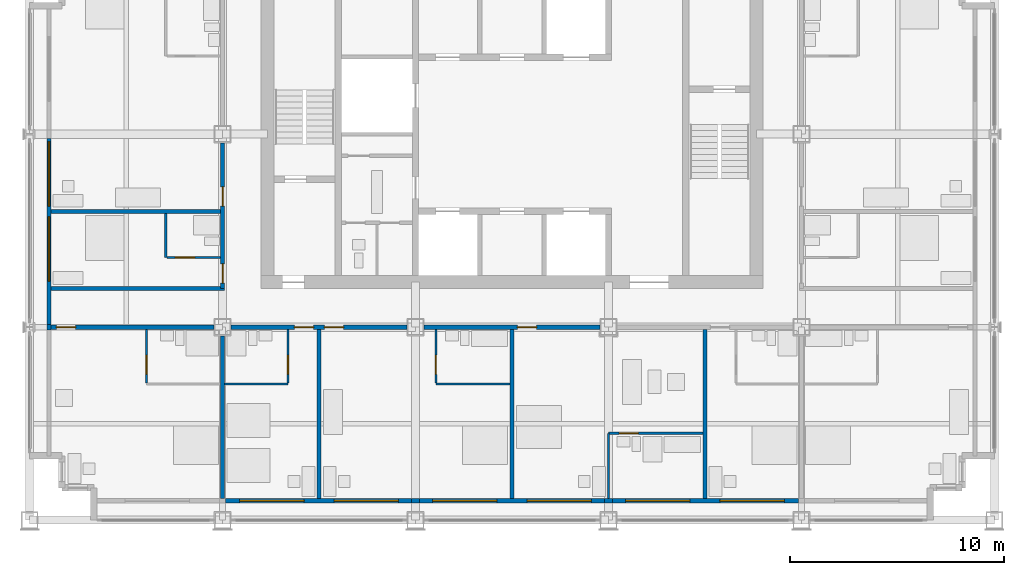
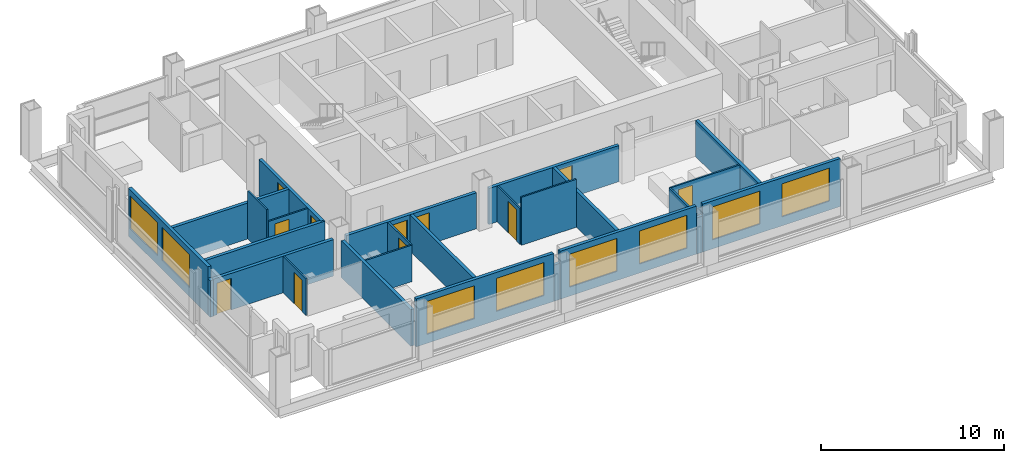
# One storey, part 7 of 13: 26 walls, 11 doors, 8 windows, 19 openings.
"""IFC4 building model written with IfcOpenShell, lengths in metres."""

from ifc_helpers import new_model, si_unit, direction, frame, frame_2d, origin, place, context, subcontext, project, spatial, rectangle, extrude, material, layer, layer_set, type_object, element, fill, save


model = new_model("IFC4")

# Units and contexts
model_context = context("Model", 3, precision=1e-05, world=origin(), true_north=direction((0.0, 1.0)))
body_context = subcontext(model_context, "Body", "Model", "MODEL_VIEW")
ifc_project = project(units=[si_unit("LENGTHUNIT", "METRE"), si_unit("AREAUNIT", "SQUARE_METRE"), si_unit("VOLUMEUNIT", "CUBIC_METRE"), si_unit("PLANEANGLEUNIT", "RADIAN"), si_unit("MASSUNIT", "GRAM", prefix="KILO")], contexts=[model_context])

# Site, building, storey
site_placement = place(None, origin())
site = spatial("IfcSite", under=ifc_project, at=site_placement, CompositionType="ELEMENT")
building_placement = place(site_placement, origin())
building = spatial("IfcBuilding", under=site, at=building_placement, Name="Loomwork Tower", CompositionType="ELEMENT")
storey_placement = place(building_placement, frame((0.0, 0.0, 208.0)))
storey = spatial("IfcBuildingStorey", under=building, at=storey_placement, Name="L57", CompositionType="ELEMENT", Elevation=208.0)

# Wall, opening, door
ifc_material_1 = material(Name="Gypsum board on steel studs, one-hour", Category="steel")
ifc_layer_1 = layer(ifc_material_1, 0.199951171875)
ifc_layer_set_1 = layer_set([ifc_layer_1], Name="Corridor wall 200")
wall_type_1 = type_object("IfcWallType", Name="Corridor wall 200", PredefinedType="PARTITIONING", material=ifc_layer_set_1)
wall_1_placement = place(storey_placement, frame((1.0, 9.0, 0.0), z_axis=(0.0, 0.0, 1.0), x_axis=(1.0, 0.0, 0.0)))
wall_1 = element("IfcWall", 1, at=wall_1_placement, inside=storey, type_object=wall_type_1, Name="South corridor wall 1", PredefinedType="PARTITIONING", context=body_context, shape_type="SweptSolid", body=[
    extrude(rectangle(XDim=7.60009765625, YDim=0.199951171875, at=frame_2d((3.800048828125, 0.0))), origin(), (0.0, 0.0, 1.0), 2.43798828125),
])
opening_1_placement = place(wall_1_placement, frame((0.25, 0.0, 0.0)))
opening_1 = element("IfcOpeningElement", 2, at=opening_1_placement, cuts=wall_1, Name="Opening D1", PredefinedType="OPENING", context=body_context, shape_type="SweptSolid", body=[
    extrude(rectangle(XDim=0.89990234375, YDim=2.10009765625, at=frame_2d((0.449951171875, 1.050048828125))), frame((0.0, 0.10986328125, 0.0), z_axis=(0.0, -1.0, 0.0), x_axis=(1.0, 0.0, 0.0)), (0.0, 0.0, 1.0), 0.219970703125),
])
ifc_material_2 = material(Name="Hollow metal door and frame")
door_type_1 = type_object("IfcDoorType", Name="Guest room entry door 900", OperationType="SINGLE_SWING_LEFT", PredefinedType="DOOR", material=ifc_material_2)
door_1_placement = place(opening_1_placement, frame((0.89990234375, 0.0, 0.0), z_axis=(0.0, 0.0, 1.0), x_axis=(-1.0, 0.0, 0.0)))
door_1 = element("IfcDoor", 3, at=door_1_placement, inside=storey, type_object=door_type_1, Name="Guest room entry door L57 1", OperationType="SINGLE_SWING_RIGHT", OverallHeight=2.10009765625, OverallWidth=0.89990234375, PredefinedType="DOOR", context=body_context, shape_type="SweptSolid", body=[
    extrude(rectangle(XDim=0.89990234375, YDim=2.10009765625, at=frame_2d((0.449951171875, 1.050048828125))), frame((0.0, 0.02490234375, 0.0), z_axis=(0.0, -1.0, 0.0), x_axis=(1.0, 0.0, 0.0)), (0.0, 0.0, 1.0), 0.050048828125),
])
fill(opening_1, door_1)

# Wall, openings, doors
wall_2_placement = place(storey_placement, frame((9.39990234375, 9.0, 0.0), z_axis=(0.0, 0.0, 1.0), x_axis=(1.0, 0.0, 0.0)))
wall_2 = element("IfcWall", 4, at=wall_2_placement, inside=storey, type_object=wall_type_1, Name="South corridor wall 2", PredefinedType="PARTITIONING", context=body_context, shape_type="SweptSolid", body=[
    extrude(rectangle(XDim=8.2001953125, YDim=0.199951171875, at=frame_2d((4.10009765625, 0.0))), origin(), (0.0, 0.0, 1.0), 2.405029296875),
])
opening_2_placement = place(wall_2_placement, frame((2.949951171875, 0.0, 0.0)))
opening_2 = element("IfcOpeningElement", 5, at=opening_2_placement, cuts=wall_2, Name="Opening D1", PredefinedType="OPENING", context=body_context, shape_type="SweptSolid", body=[
    extrude(rectangle(XDim=0.89990234375, YDim=2.10009765625, at=frame_2d((0.449951171875, 1.050048828125))), frame((0.0, 0.10986328125, 0.0), z_axis=(0.0, -1.0, 0.0), x_axis=(1.0, 0.0, 0.0)), (0.0, 0.0, 1.0), 0.219970703125),
])
opening_3_placement = place(wall_2_placement, frame((4.35009765625, 0.0, 0.0)))
opening_3 = element("IfcOpeningElement", 6, at=opening_3_placement, cuts=wall_2, Name="Opening D1", PredefinedType="OPENING", context=body_context, shape_type="SweptSolid", body=[
    extrude(rectangle(XDim=0.89990234375, YDim=2.10009765625, at=frame_2d((0.449951171875, 1.050048828125))), frame((0.0, 0.10986328125, 0.0), z_axis=(0.0, -1.0, 0.0), x_axis=(1.0, 0.0, 0.0)), (0.0, 0.0, 1.0), 0.219970703125),
])
door_2_placement = place(opening_2_placement, frame((0.89990234375, 0.0, 0.0), z_axis=(0.0, 0.0, 1.0), x_axis=(-1.0, 0.0, 0.0)))
door_2 = element("IfcDoor", 7, at=door_2_placement, inside=storey, type_object=door_type_1, Name="Guest room entry door L57 2", OperationType="SINGLE_SWING_LEFT", OverallHeight=2.10009765625, OverallWidth=0.89990234375, PredefinedType="DOOR", context=body_context, shape_type="SweptSolid", body=[
    extrude(rectangle(XDim=0.89990234375, YDim=2.10009765625, at=frame_2d((0.449951171875, 1.050048828125))), frame((0.0, 0.02490234375, 0.0), z_axis=(0.0, -1.0, 0.0), x_axis=(1.0, 0.0, 0.0)), (0.0, 0.0, 1.0), 0.050048828125),
])
fill(opening_2, door_2)
door_3_placement = place(opening_3_placement, frame((0.89990234375, 0.0, 0.0), z_axis=(0.0, 0.0, 1.0), x_axis=(-1.0, 0.0, 0.0)))
door_3 = element("IfcDoor", 8, at=door_3_placement, inside=storey, type_object=door_type_1, Name="Guest room entry door L57 3", OperationType="SINGLE_SWING_RIGHT", OverallHeight=2.10009765625, OverallWidth=0.89990234375, PredefinedType="DOOR", context=body_context, shape_type="SweptSolid", body=[
    extrude(rectangle(XDim=0.89990234375, YDim=2.10009765625, at=frame_2d((0.449951171875, 1.050048828125))), frame((0.0, 0.02490234375, 0.0), z_axis=(0.0, -1.0, 0.0), x_axis=(1.0, 0.0, 0.0)), (0.0, 0.0, 1.0), 0.050048828125),
])
fill(opening_3, door_3)

# Wall, opening, door
wall_3_placement = place(storey_placement, frame((18.39990234375, 9.0, 0.0), z_axis=(0.0, 0.0, 1.0), x_axis=(1.0, 0.0, 0.0)))
wall_3 = element("IfcWall", 9, at=wall_3_placement, inside=storey, type_object=wall_type_1, Name="South corridor wall 3", PredefinedType="PARTITIONING", context=body_context, shape_type="SweptSolid", body=[
    extrude(rectangle(XDim=8.2001953125, YDim=0.199951171875, at=frame_2d((4.10009765625, 0.0))), origin(), (0.0, 0.0, 1.0), 2.405029296875),
])
opening_4_placement = place(wall_3_placement, frame((4.35009765625, 0.0, 0.0)))
opening_4 = element("IfcOpeningElement", 10, at=opening_4_placement, cuts=wall_3, Name="Opening D1", PredefinedType="OPENING", context=body_context, shape_type="SweptSolid", body=[
    extrude(rectangle(XDim=0.89990234375, YDim=2.10009765625, at=frame_2d((0.449951171875, 1.050048828125))), frame((0.0, 0.10986328125, 0.0), z_axis=(0.0, -1.0, 0.0), x_axis=(1.0, 0.0, 0.0)), (0.0, 0.0, 1.0), 0.219970703125),
])
door_4_placement = place(opening_4_placement, frame((0.89990234375, 0.0, 0.0), z_axis=(0.0, 0.0, 1.0), x_axis=(-1.0, 0.0, 0.0)))
door_4 = element("IfcDoor", 11, at=door_4_placement, inside=storey, type_object=door_type_1, Name="Guest room entry door L57 4", OperationType="SINGLE_SWING_RIGHT", OverallHeight=2.10009765625, OverallWidth=0.89990234375, PredefinedType="DOOR", context=body_context, shape_type="SweptSolid", body=[
    extrude(rectangle(XDim=0.89990234375, YDim=2.10009765625, at=frame_2d((0.449951171875, 1.050048828125))), frame((0.0, 0.02490234375, 0.0), z_axis=(0.0, -1.0, 0.0), x_axis=(1.0, 0.0, 0.0)), (0.0, 0.0, 1.0), 0.050048828125),
])
fill(opening_4, door_4)

# Wall, openings, doors
wall_4_placement = place(storey_placement, frame((9.0, 10.800048828125, 0.0), z_axis=(0.0, 0.0, 1.0), x_axis=(0.0, 1.0, 0.0)))
wall_4 = element("IfcWall", 12, at=wall_4_placement, inside=storey, type_object=wall_type_1, Name="West corridor wall 1", PredefinedType="PARTITIONING", context=body_context, shape_type="SweptSolid", body=[
    extrude(rectangle(XDim=6.800048828125, YDim=0.199951171875, at=frame_2d((3.39990234375, 0.0))), origin(), (0.0, 0.0, 1.0), 2.405029296875),
])
opening_5_placement = place(wall_4_placement, frame((0.25, 0.0, 0.0)))
opening_5 = element("IfcOpeningElement", 13, at=opening_5_placement, cuts=wall_4, Name="Opening D1", PredefinedType="OPENING", context=body_context, shape_type="SweptSolid", body=[
    extrude(rectangle(XDim=0.89990234375, YDim=2.10009765625, at=frame_2d((0.449951171875, 1.050048828125))), frame((0.0, 0.10986328125, 0.0), z_axis=(0.0, -1.0, 0.0), x_axis=(1.0, 0.0, 0.0)), (0.0, 0.0, 1.0), 0.219970703125),
])
opening_6_placement = place(wall_4_placement, frame((3.85009765625, 0.0, 0.0)))
opening_6 = element("IfcOpeningElement", 14, at=opening_6_placement, cuts=wall_4, Name="Opening D1", PredefinedType="OPENING", context=body_context, shape_type="SweptSolid", body=[
    extrude(rectangle(XDim=0.89990234375, YDim=2.10009765625, at=frame_2d((0.449951171875, 1.050048828125))), frame((0.0, 0.10986328125, 0.0), z_axis=(0.0, -1.0, 0.0), x_axis=(1.0, 0.0, 0.0)), (0.0, 0.0, 1.0), 0.219970703125),
])
door_5_placement = place(opening_5_placement, origin())
door_5 = element("IfcDoor", 15, at=door_5_placement, inside=storey, type_object=door_type_1, Name="Guest room entry door L57 7", OperationType="SINGLE_SWING_LEFT", OverallHeight=2.10009765625, OverallWidth=0.89990234375, PredefinedType="DOOR", context=body_context, shape_type="SweptSolid", body=[
    extrude(rectangle(XDim=0.89990234375, YDim=2.10009765625, at=frame_2d((0.449951171875, 1.050048828125))), frame((0.0, 0.02490234375, 0.0), z_axis=(0.0, -1.0, 0.0), x_axis=(1.0, 0.0, 0.0)), (0.0, 0.0, 1.0), 0.050048828125),
])
fill(opening_5, door_5)
door_6_placement = place(opening_6_placement, origin())
door_6 = element("IfcDoor", 16, at=door_6_placement, inside=storey, type_object=door_type_1, Name="Guest room entry door L57 8", OperationType="SINGLE_SWING_LEFT", OverallHeight=2.10009765625, OverallWidth=0.89990234375, PredefinedType="DOOR", context=body_context, shape_type="SweptSolid", body=[
    extrude(rectangle(XDim=0.89990234375, YDim=2.10009765625, at=frame_2d((0.449951171875, 1.050048828125))), frame((0.0, 0.02490234375, 0.0), z_axis=(0.0, -1.0, 0.0), x_axis=(1.0, 0.0, 0.0)), (0.0, 0.0, 1.0), 0.050048828125),
])
fill(opening_6, door_6)

# Wall
wall_5_placement = place(storey_placement, frame((1.0, 10.800048828125, 0.0), z_axis=(0.0, 0.0, 1.0), x_axis=(1.0, 0.0, 0.0)))
element("IfcWall", 17, at=wall_5_placement, inside=storey, type_object=wall_type_1, Name="West band end wall S", PredefinedType="PARTITIONING", context=body_context, shape_type="SweptSolid", body=[
    extrude(rectangle(XDim=8.10009765625, YDim=0.199951171875, at=frame_2d((4.050048828125, 0.0))), origin(), (0.0, 0.0, 1.0), 2.404052734375),
])

# Wall, opening, door
ifc_material_3 = material(Name="Cement board on steel studs", Category="steel")
ifc_layer_2 = layer(ifc_material_3, 0.10009765625)
ifc_layer_set_2 = layer_set([ifc_layer_2], Name="En-suite partition 100")
wall_type_2 = type_object("IfcWallType", Name="En-suite partition 100", PredefinedType="PARTITIONING", material=ifc_layer_set_2)
wall_6_placement = place(storey_placement, frame((5.449951171875, 8.89990234375, 0.0), z_axis=(0.0, 0.0, 1.0), x_axis=(0.0, -1.0, 0.0)))
wall_6 = element("IfcWall", 18, at=wall_6_placement, inside=storey, type_object=wall_type_2, Name="En-suite side wall L57 room 1", PredefinedType="PARTITIONING", context=body_context, shape_type="SweptSolid", body=[
    extrude(rectangle(XDim=2.5, YDim=0.10009765625, at=frame_2d((1.25, 0.0))), origin(), (0.0, 0.0, 1.0), 2.43798828125),
])
opening_7_placement = place(wall_6_placement, frame((1.199951171875, 0.0, 0.0)))
opening_7 = element("IfcOpeningElement", 19, at=opening_7_placement, cuts=wall_6, Name="Opening D3", PredefinedType="OPENING", context=body_context, shape_type="SweptSolid", body=[
    extrude(rectangle(XDim=0.89990234375, YDim=2.10009765625, at=frame_2d((0.449951171875, 1.050048828125))), frame((0.0, 0.06005859375, 0.0), z_axis=(0.0, -1.0, 0.0), x_axis=(1.0, 0.0, 0.0)), (0.0, 0.0, 1.0), 0.1201171875),
])
ifc_material_4 = material(Name="Hollow metal door and frame")
door_type_2 = type_object("IfcDoorType", Name="Accessible en-suite door 900", OperationType="SLIDING_TO_LEFT", PredefinedType="DOOR", material=ifc_material_4)
door_7_placement = place(opening_7_placement, origin())
door_7 = element("IfcDoor", 20, at=door_7_placement, inside=storey, type_object=door_type_2, Name="Accessible en-suite door room 1", OperationType="SLIDING_TO_LEFT", OverallHeight=2.10009765625, OverallWidth=0.89990234375, PredefinedType="DOOR", context=body_context, shape_type="SweptSolid", body=[
    extrude(rectangle(XDim=0.89990234375, YDim=2.10009765625, at=frame_2d((0.449951171875, 1.050048828125))), frame((0.0, 0.02490234375, 0.0), z_axis=(0.0, -1.0, 0.0), x_axis=(1.0, 0.0, 0.0)), (0.0, 0.0, 1.0), 0.050048828125),
])
fill(opening_7, door_7)

# Wall
wall_7_placement = place(storey_placement, frame((9.10009765625, 6.35009765625, 0.0), z_axis=(0.0, 0.0, 1.0), x_axis=(1.0, 0.0, 0.0)))
element("IfcWall", 21, at=wall_7_placement, inside=storey, type_object=wall_type_2, Name="En-suite wall L57 room 2", PredefinedType="PARTITIONING", context=body_context, shape_type="SweptSolid", body=[
    extrude(rectangle(XDim=2.949951171875, YDim=0.10009765625, at=frame_2d((1.47509765625, 0.0))), origin(), (0.0, 0.0, 1.0), 2.43798828125),
])

# Wall, opening, door
wall_8_placement = place(storey_placement, frame((12.050048828125, 8.89990234375, 0.0), z_axis=(0.0, 0.0, 1.0), x_axis=(0.0, -1.0, 0.0)))
wall_8 = element("IfcWall", 22, at=wall_8_placement, inside=storey, type_object=wall_type_2, Name="En-suite side wall L57 room 2", PredefinedType="PARTITIONING", context=body_context, shape_type="SweptSolid", body=[
    extrude(rectangle(XDim=2.5, YDim=0.10009765625, at=frame_2d((1.25, 0.0))), origin(), (0.0, 0.0, 1.0), 2.404052734375),
])
opening_8_placement = place(wall_8_placement, frame((1.199951171875, 0.0, 0.0)))
opening_8 = element("IfcOpeningElement", 23, at=opening_8_placement, cuts=wall_8, Name="Opening D2", PredefinedType="OPENING", context=body_context, shape_type="SweptSolid", body=[
    extrude(rectangle(XDim=0.89990234375, YDim=2.10009765625, at=frame_2d((0.449951171875, 1.050048828125))), frame((0.0, 0.06005859375, 0.0), z_axis=(0.0, -1.0, 0.0), x_axis=(1.0, 0.0, 0.0)), (0.0, 0.0, 1.0), 0.1201171875),
])
ifc_material_5 = material(Name="Hollow metal door and frame")
door_type_3 = type_object("IfcDoorType", Name="En-suite door 900", OperationType="SINGLE_SWING_LEFT", PredefinedType="DOOR", material=ifc_material_5)
door_8_placement = place(opening_8_placement, frame((0.89990234375, 0.0, 0.0), z_axis=(0.0, 0.0, 1.0), x_axis=(-1.0, 0.0, 0.0)))
door_8 = element("IfcDoor", 24, at=door_8_placement, inside=storey, type_object=door_type_3, Name="En-suite door room 2", OperationType="SINGLE_SWING_LEFT", OverallHeight=2.10009765625, OverallWidth=0.89990234375, PredefinedType="DOOR", context=body_context, shape_type="SweptSolid", body=[
    extrude(rectangle(XDim=0.89990234375, YDim=2.10009765625, at=frame_2d((0.449951171875, 1.050048828125))), frame((0.0, 0.02490234375, 0.0), z_axis=(0.0, -1.0, 0.0), x_axis=(1.0, 0.0, 0.0)), (0.0, 0.0, 1.0), 0.050048828125),
])
fill(opening_8, door_8)

# Wall
wall_9_placement = place(storey_placement, frame((18.949951171875, 6.35009765625, 0.0), z_axis=(0.0, 0.0, 1.0), x_axis=(1.0, 0.0, 0.0)))
element("IfcWall", 25, at=wall_9_placement, inside=storey, type_object=wall_type_2, Name="En-suite wall L57 room 3", PredefinedType="PARTITIONING", context=body_context, shape_type="SweptSolid", body=[
    extrude(rectangle(XDim=3.449951171875, YDim=0.10009765625, at=frame_2d((1.72509765625, 0.0))), origin(), (0.0, 0.0, 1.0), 3.199951171875),
])

# Wall, opening, door
wall_10_placement = place(storey_placement, frame((18.949951171875, 8.89990234375, 0.0), z_axis=(0.0, 0.0, 1.0), x_axis=(0.0, -1.0, 0.0)))
wall_10 = element("IfcWall", 26, at=wall_10_placement, inside=storey, type_object=wall_type_2, Name="En-suite side wall L57 room 3", PredefinedType="PARTITIONING", context=body_context, shape_type="SweptSolid", body=[
    extrude(rectangle(XDim=2.5, YDim=0.10009765625, at=frame_2d((1.25, 0.0))), origin(), (0.0, 0.0, 1.0), 2.404052734375),
])
opening_9_placement = place(wall_10_placement, frame((1.199951171875, 0.0, 0.0)))
opening_9 = element("IfcOpeningElement", 27, at=opening_9_placement, cuts=wall_10, Name="Opening D2", PredefinedType="OPENING", context=body_context, shape_type="SweptSolid", body=[
    extrude(rectangle(XDim=0.89990234375, YDim=2.10009765625, at=frame_2d((0.449951171875, 1.050048828125))), frame((0.0, 0.06005859375, 0.0), z_axis=(0.0, -1.0, 0.0), x_axis=(1.0, 0.0, 0.0)), (0.0, 0.0, 1.0), 0.1201171875),
])
door_9_placement = place(opening_9_placement, origin())
door_9 = element("IfcDoor", 28, at=door_9_placement, inside=storey, type_object=door_type_3, Name="En-suite door room 3", OperationType="SINGLE_SWING_RIGHT", OverallHeight=2.10009765625, OverallWidth=0.89990234375, PredefinedType="DOOR", context=body_context, shape_type="SweptSolid", body=[
    extrude(rectangle(XDim=0.89990234375, YDim=2.10009765625, at=frame_2d((0.449951171875, 1.050048828125))), frame((0.0, 0.02490234375, 0.0), z_axis=(0.0, -1.0, 0.0), x_axis=(1.0, 0.0, 0.0)), (0.0, 0.0, 1.0), 0.050048828125),
])
fill(opening_9, door_9)

wall_11_placement = place(storey_placement, frame((27.0, 4.050048828125, 0.0), z_axis=(0.0, 0.0, 1.0), x_axis=(1.0, 0.0, 0.0)))
wall_11 = element("IfcWall", 29, at=wall_11_placement, inside=storey, type_object=wall_type_2, Name="Spa bathroom wall L57 room 4", PredefinedType="PARTITIONING", context=body_context, shape_type="SweptSolid", body=[
    extrude(rectangle(XDim=4.39990234375, YDim=0.10009765625, at=frame_2d((2.199951171875, 0.0))), origin(), (0.0, 0.0, 1.0), 2.404052734375),
])
opening_10_placement = place(wall_11_placement, frame((0.5, 0.0, 0.0)))
opening_10 = element("IfcOpeningElement", 30, at=opening_10_placement, cuts=wall_11, Name="Opening D2", PredefinedType="OPENING", context=body_context, shape_type="SweptSolid", body=[
    extrude(rectangle(XDim=0.89990234375, YDim=2.10009765625, at=frame_2d((0.449951171875, 1.050048828125))), frame((0.0, 0.06005859375, 0.0), z_axis=(0.0, -1.0, 0.0), x_axis=(1.0, 0.0, 0.0)), (0.0, 0.0, 1.0), 0.1201171875),
])
door_10_placement = place(opening_10_placement, frame((0.89990234375, 0.0, 0.0), z_axis=(0.0, 0.0, 1.0), x_axis=(-1.0, 0.0, 0.0)))
door_10 = element("IfcDoor", 31, at=door_10_placement, inside=storey, type_object=door_type_3, Name="Spa bathroom door room 4", OperationType="SINGLE_SWING_RIGHT", OverallHeight=2.10009765625, OverallWidth=0.89990234375, PredefinedType="DOOR", context=body_context, shape_type="SweptSolid", body=[
    extrude(rectangle(XDim=0.89990234375, YDim=2.10009765625, at=frame_2d((0.449951171875, 1.050048828125))), frame((0.0, 0.02490234375, 0.0), z_axis=(0.0, -1.0, 0.0), x_axis=(1.0, 0.0, 0.0)), (0.0, 0.0, 1.0), 0.050048828125),
])
fill(opening_10, door_10)

# Walls
wall_12_placement = place(storey_placement, frame((27.0, 4.050048828125, 0.0), z_axis=(0.0, 0.0, 1.0), x_axis=(0.0, -1.0, 0.0)))
element("IfcWall", 32, at=wall_12_placement, inside=storey, type_object=wall_type_2, Name="Spa bathroom side wall L57 room 4", PredefinedType="PARTITIONING", context=body_context, shape_type="SweptSolid", body=[
    extrude(rectangle(XDim=3.050048828125, YDim=0.10009765625, at=frame_2d((1.52490234375, 0.0))), origin(), (0.0, 0.0, 1.0), 2.405029296875),
])
wall_13_placement = place(storey_placement, frame((6.35009765625, 12.25, 0.0), z_axis=(0.0, 0.0, 1.0), x_axis=(0.0, 1.0, 0.0)))
element("IfcWall", 33, at=wall_13_placement, inside=storey, type_object=wall_type_2, Name="En-suite wall L57 room 7", PredefinedType="PARTITIONING", context=body_context, shape_type="SweptSolid", body=[
    extrude(rectangle(XDim=2.050048828125, YDim=0.10009765625, at=frame_2d((1.02490234375, 0.0))), origin(), (0.0, 0.0, 1.0), 3.199951171875),
])

# Wall, opening, door
wall_14_placement = place(storey_placement, frame((8.89990234375, 12.25, 0.0), z_axis=(0.0, 0.0, 1.0), x_axis=(-1.0, 0.0, 0.0)))
wall_14 = element("IfcWall", 34, at=wall_14_placement, inside=storey, type_object=wall_type_2, Name="En-suite side wall L57 room 7", PredefinedType="PARTITIONING", context=body_context, shape_type="SweptSolid", body=[
    extrude(rectangle(XDim=2.5, YDim=0.10009765625, at=frame_2d((1.25, 0.0))), origin(), (0.0, 0.0, 1.0), 2.404052734375),
])
opening_11_placement = place(wall_14_placement, frame((1.199951171875, 0.0, 0.0)))
opening_11 = element("IfcOpeningElement", 35, at=opening_11_placement, cuts=wall_14, Name="Opening D2", PredefinedType="OPENING", context=body_context, shape_type="SweptSolid", body=[
    extrude(rectangle(XDim=0.89990234375, YDim=2.10009765625, at=frame_2d((0.449951171875, 1.050048828125))), frame((0.0, 0.06005859375, 0.0), z_axis=(0.0, -1.0, 0.0), x_axis=(1.0, 0.0, 0.0)), (0.0, 0.0, 1.0), 0.1201171875),
])
door_11_placement = place(opening_11_placement, frame((0.89990234375, 0.0, 0.0), z_axis=(0.0, 0.0, 1.0), x_axis=(-1.0, 0.0, 0.0)))
door_11 = element("IfcDoor", 36, at=door_11_placement, inside=storey, type_object=door_type_3, Name="En-suite door room 7", OperationType="SINGLE_SWING_LEFT", OverallHeight=2.10009765625, OverallWidth=0.89990234375, PredefinedType="DOOR", context=body_context, shape_type="SweptSolid", body=[
    extrude(rectangle(XDim=0.89990234375, YDim=2.10009765625, at=frame_2d((0.449951171875, 1.050048828125))), frame((0.0, 0.02490234375, 0.0), z_axis=(0.0, -1.0, 0.0), x_axis=(1.0, 0.0, 0.0)), (0.0, 0.0, 1.0), 0.050048828125),
])
fill(opening_11, door_11)

# Walls
ifc_material_6 = material(Name="Gypsum board on steel studs, acoustic", Category="steel")
ifc_layer_3 = layer(ifc_material_6, 0.199951171875)
ifc_layer_set_3 = layer_set([ifc_layer_3], Name="Guest room party wall 200")
wall_type_3 = type_object("IfcWallType", Name="Guest room party wall 200", PredefinedType="PARTITIONING", material=ifc_layer_set_3)
wall_15_placement = place(storey_placement, frame((9.0, 8.60009765625, 0.0), z_axis=(0.0, 0.0, 1.0), x_axis=(0.0, -1.0, 0.0)))
element("IfcWall", 37, at=wall_15_placement, inside=storey, type_object=wall_type_3, Name="Guest room party wall S 9", PredefinedType="PARTITIONING", context=body_context, shape_type="SweptSolid", body=[
    extrude(rectangle(XDim=7.60009765625, YDim=0.199951171875, at=frame_2d((3.800048828125, 0.0))), origin(), (0.0, 0.0, 1.0), 2.43798828125),
])
for number, where, z_axis, x_axis, name in (
    (38, (13.5, 8.89990234375, 0.0), (0.0, 0.0, 1.0), (0.0, -1.0, 0.0), "Guest room party wall S 13.5"),
    (39, (22.5, 8.89990234375, 0.0), (0.0, 0.0, 1.0), (0.0, -1.0, 0.0), "Guest room party wall S 22.5"),
    (40, (31.5, 8.89990234375, 0.0), (0.0, 0.0, 1.0), (0.0, -1.0, 0.0), "Guest room party wall S 31.5"),
    (41, (8.89990234375, 14.39990234375, 0.0), (0.0, 0.0, 1.0), (-1.0, 0.0, 0.0), "Guest room party wall W 14.4"),
):
    element("IfcWall", number, at=place(storey_placement, frame(where, z_axis=z_axis, x_axis=x_axis)), inside=storey, type_object=wall_type_3, Name=name, PredefinedType="PARTITIONING", context=body_context, shape_type="SweptSolid", body=[
        extrude(rectangle(XDim=7.89990234375, YDim=0.199951171875, at=frame_2d((3.949951171875, 0.0))), origin(), (0.0, 0.0, 1.0), 2.404052734375),
    ])

# Wall, openings, windows
ifc_material_7 = material(Name="Insulated steel stud wall with gypsum lining", Category="steel")
ifc_layer_4 = layer(ifc_material_7, 0.199951171875)
ifc_layer_set_4 = layer_set([ifc_layer_4], Name="Inner skin wall 200")
wall_type_4 = type_object("IfcWallType", Name="Inner skin wall 200", PredefinedType="SOLIDWALL", material=ifc_layer_set_4)
wall_16_placement = place(storey_placement, frame((9.13525390625, 0.89990234375, 0.0), z_axis=(0.0, 0.0, 1.0), x_axis=(1.0, 0.0, 0.0)))
wall_16 = element("IfcWall", 42, at=wall_16_placement, inside=storey, type_object=wall_type_4, Name="Inner skin wall S bay 3", PredefinedType="SOLIDWALL", context=body_context, shape_type="SweptSolid", body=[
    extrude(rectangle(XDim=8.6708984375, YDim=0.199951171875, at=frame_2d((4.33544921875, 0.0))), origin(), (0.0, 0.0, 1.0), 3.199951171875),
])
opening_12_placement = place(wall_16_placement, frame((0.664794921875, 0.0, 0.60009765625)))
opening_12 = element("IfcOpeningElement", 43, at=opening_12_placement, cuts=wall_16, Name="Opening CH1", PredefinedType="OPENING", context=body_context, shape_type="SweptSolid", body=[
    extrude(rectangle(XDim=3.0, YDim=2.199951171875, at=frame_2d((1.5, 1.10009765625))), frame((0.0, 0.10986328125, 0.0), z_axis=(0.0, -1.0, 0.0), x_axis=(1.0, 0.0, 0.0)), (0.0, 0.0, 1.0), 0.219970703125),
])
opening_13_placement = place(wall_16_placement, frame((5.064697265625, 0.0, 0.60009765625)))
opening_13 = element("IfcOpeningElement", 44, at=opening_13_placement, cuts=wall_16, Name="Opening CH1", PredefinedType="OPENING", context=body_context, shape_type="SweptSolid", body=[
    extrude(rectangle(XDim=3.0, YDim=2.199951171875, at=frame_2d((1.5, 1.10009765625))), frame((0.0, 0.10986328125, 0.0), z_axis=(0.0, -1.0, 0.0), x_axis=(1.0, 0.0, 0.0)), (0.0, 0.0, 1.0), 0.219970703125),
])
ifc_material_8 = material(Name="Aluminium frame with clear insulated glass", Category="aluminium")
window_type = type_object("IfcWindowType", Name="Chicago window 3000", PartitioningType="TRIPLE_PANEL_VERTICAL", PredefinedType="WINDOW", material=ifc_material_8)
window_1_placement = place(opening_12_placement, origin())
window_1 = element("IfcWindow", 45, at=window_1_placement, inside=storey, type_object=window_type, Name="Chicago window L57 bay 2", OverallHeight=2.199951171875, OverallWidth=3.0, PartitioningType="TRIPLE_PANEL_VERTICAL", PredefinedType="WINDOW", context=body_context, shape_type="SweptSolid", body=[
    extrude(rectangle(XDim=3.0, YDim=2.199951171875, at=frame_2d((1.5, 1.10009765625))), frame((0.0, 0.030029296875, 0.0), z_axis=(0.0, -1.0, 0.0), x_axis=(1.0, 0.0, 0.0)), (0.0, 0.0, 1.0), 0.06005859375),
])
fill(opening_12, window_1)
window_2_placement = place(opening_13_placement, origin())
window_2 = element("IfcWindow", 46, at=window_2_placement, inside=storey, type_object=window_type, Name="Chicago window L57 bay 2", OverallHeight=2.199951171875, OverallWidth=3.0, PartitioningType="TRIPLE_PANEL_VERTICAL", PredefinedType="WINDOW", context=body_context, shape_type="SweptSolid", body=[
    extrude(rectangle(XDim=3.0, YDim=2.199951171875, at=frame_2d((1.5, 1.10009765625))), frame((0.0, 0.030029296875, 0.0), z_axis=(0.0, -1.0, 0.0), x_axis=(1.0, 0.0, 0.0)), (0.0, 0.0, 1.0), 0.06005859375),
])
fill(opening_13, window_2)

# Wall
wall_17_placement = place(storey_placement, frame((17.80615234375, 0.89990234375, 0.0), z_axis=(0.0, 0.0, 1.0), x_axis=(1.0, 0.0, 0.0)))
element("IfcWall", 47, at=wall_17_placement, inside=storey, type_object=wall_type_4, Name="Inner skin wall S bay 4", PredefinedType="SOLIDWALL", context=body_context, shape_type="SweptSolid", body=[
    extrude(rectangle(XDim=0.3876953125, YDim=0.199951171875, at=frame_2d((0.19384765625, 0.0))), origin(), (0.0, 0.0, 1.0), 2.404052734375),
])

# Wall, openings, windows
wall_18_placement = place(storey_placement, frame((18.19384765625, 0.89990234375, 0.0), z_axis=(0.0, 0.0, 1.0), x_axis=(1.0, 0.0, 0.0)))
wall_18 = element("IfcWall", 48, at=wall_18_placement, inside=storey, type_object=wall_type_4, Name="Inner skin wall S bay 5", PredefinedType="SOLIDWALL", context=body_context, shape_type="SweptSolid", body=[
    extrude(rectangle(XDim=8.6123046875, YDim=0.199951171875, at=frame_2d((4.30615234375, 0.0))), origin(), (0.0, 0.0, 1.0), 3.199951171875),
])
opening_14_placement = place(wall_18_placement, frame((0.606201171875, 0.0, 0.60009765625)))
opening_14 = element("IfcOpeningElement", 49, at=opening_14_placement, cuts=wall_18, Name="Opening CH1", PredefinedType="OPENING", context=body_context, shape_type="SweptSolid", body=[
    extrude(rectangle(XDim=3.0, YDim=2.199951171875, at=frame_2d((1.5, 1.10009765625))), frame((0.0, 0.10986328125, 0.0), z_axis=(0.0, -1.0, 0.0), x_axis=(1.0, 0.0, 0.0)), (0.0, 0.0, 1.0), 0.219970703125),
])
opening_15_placement = place(wall_18_placement, frame((5.006103515625, 0.0, 0.60009765625)))
opening_15 = element("IfcOpeningElement", 50, at=opening_15_placement, cuts=wall_18, Name="Opening CH1", PredefinedType="OPENING", context=body_context, shape_type="SweptSolid", body=[
    extrude(rectangle(XDim=3.0, YDim=2.199951171875, at=frame_2d((1.5, 1.10009765625))), frame((0.0, 0.10986328125, 0.0), z_axis=(0.0, -1.0, 0.0), x_axis=(1.0, 0.0, 0.0)), (0.0, 0.0, 1.0), 0.219970703125),
])
window_3_placement = place(opening_14_placement, origin())
window_3 = element("IfcWindow", 51, at=window_3_placement, inside=storey, type_object=window_type, Name="Chicago window L57 bay 3", OverallHeight=2.199951171875, OverallWidth=3.0, PartitioningType="TRIPLE_PANEL_VERTICAL", PredefinedType="WINDOW", context=body_context, shape_type="SweptSolid", body=[
    extrude(rectangle(XDim=3.0, YDim=2.199951171875, at=frame_2d((1.5, 1.10009765625))), frame((0.0, 0.030029296875, 0.0), z_axis=(0.0, -1.0, 0.0), x_axis=(1.0, 0.0, 0.0)), (0.0, 0.0, 1.0), 0.06005859375),
])
fill(opening_14, window_3)
window_4_placement = place(opening_15_placement, origin())
window_4 = element("IfcWindow", 52, at=window_4_placement, inside=storey, type_object=window_type, Name="Chicago window L57 bay 3", OverallHeight=2.199951171875, OverallWidth=3.0, PartitioningType="TRIPLE_PANEL_VERTICAL", PredefinedType="WINDOW", context=body_context, shape_type="SweptSolid", body=[
    extrude(rectangle(XDim=3.0, YDim=2.199951171875, at=frame_2d((1.5, 1.10009765625))), frame((0.0, 0.030029296875, 0.0), z_axis=(0.0, -1.0, 0.0), x_axis=(1.0, 0.0, 0.0)), (0.0, 0.0, 1.0), 0.06005859375),
])
fill(opening_15, window_4)

# Wall
wall_19_placement = place(storey_placement, frame((26.80615234375, 0.89990234375, 0.0), z_axis=(0.0, 0.0, 1.0), x_axis=(1.0, 0.0, 0.0)))
element("IfcWall", 53, at=wall_19_placement, inside=storey, type_object=wall_type_4, Name="Inner skin wall S bay 6", PredefinedType="SOLIDWALL", context=body_context, shape_type="SweptSolid", body=[
    extrude(rectangle(XDim=0.3876953125, YDim=0.199951171875, at=frame_2d((0.19384765625, 0.0))), origin(), (0.0, 0.0, 1.0), 2.404052734375),
])

# Wall, openings, windows
wall_20_placement = place(storey_placement, frame((27.19384765625, 0.89990234375, 0.0), z_axis=(0.0, 0.0, 1.0), x_axis=(1.0, 0.0, 0.0)))
wall_20 = element("IfcWall", 54, at=wall_20_placement, inside=storey, type_object=wall_type_4, Name="Inner skin wall S bay 7", PredefinedType="SOLIDWALL", context=body_context, shape_type="SweptSolid", body=[
    extrude(rectangle(XDim=8.670654296875, YDim=0.199951171875, at=frame_2d((4.33544921875, 0.0))), origin(), (0.0, 0.0, 1.0), 3.199951171875),
])
opening_16_placement = place(wall_20_placement, frame((0.606201171875, 0.0, 0.60009765625)))
opening_16 = element("IfcOpeningElement", 55, at=opening_16_placement, cuts=wall_20, Name="Opening CH1", PredefinedType="OPENING", context=body_context, shape_type="SweptSolid", body=[
    extrude(rectangle(XDim=3.0, YDim=2.199951171875, at=frame_2d((1.5, 1.10009765625))), frame((0.0, 0.10986328125, 0.0), z_axis=(0.0, -1.0, 0.0), x_axis=(1.0, 0.0, 0.0)), (0.0, 0.0, 1.0), 0.219970703125),
])
opening_17_placement = place(wall_20_placement, frame((5.006103515625, 0.0, 0.60009765625)))
opening_17 = element("IfcOpeningElement", 56, at=opening_17_placement, cuts=wall_20, Name="Opening CH1", PredefinedType="OPENING", context=body_context, shape_type="SweptSolid", body=[
    extrude(rectangle(XDim=3.0, YDim=2.199951171875, at=frame_2d((1.5, 1.10009765625))), frame((0.0, 0.10986328125, 0.0), z_axis=(0.0, -1.0, 0.0), x_axis=(1.0, 0.0, 0.0)), (0.0, 0.0, 1.0), 0.219970703125),
])
window_5_placement = place(opening_16_placement, origin())
window_5 = element("IfcWindow", 57, at=window_5_placement, inside=storey, type_object=window_type, Name="Chicago window L57 bay 4", OverallHeight=2.199951171875, OverallWidth=3.0, PartitioningType="TRIPLE_PANEL_VERTICAL", PredefinedType="WINDOW", context=body_context, shape_type="SweptSolid", body=[
    extrude(rectangle(XDim=3.0, YDim=2.199951171875, at=frame_2d((1.5, 1.10009765625))), frame((0.0, 0.030029296875, 0.0), z_axis=(0.0, -1.0, 0.0), x_axis=(1.0, 0.0, 0.0)), (0.0, 0.0, 1.0), 0.06005859375),
])
fill(opening_16, window_5)
window_6_placement = place(opening_17_placement, origin())
window_6 = element("IfcWindow", 58, at=window_6_placement, inside=storey, type_object=window_type, Name="Chicago window L57 bay 4", OverallHeight=2.199951171875, OverallWidth=3.0, PartitioningType="TRIPLE_PANEL_VERTICAL", PredefinedType="WINDOW", context=body_context, shape_type="SweptSolid", body=[
    extrude(rectangle(XDim=3.0, YDim=2.199951171875, at=frame_2d((1.5, 1.10009765625))), frame((0.0, 0.030029296875, 0.0), z_axis=(0.0, -1.0, 0.0), x_axis=(1.0, 0.0, 0.0)), (0.0, 0.0, 1.0), 0.06005859375),
])
fill(opening_17, window_6)

# Wall
wall_21_placement = place(storey_placement, frame((0.89990234375, 8.86474609375, 0.0), z_axis=(0.0, 0.0, 1.0), x_axis=(0.0, 1.0, 0.0)))
element("IfcWall", 59, at=wall_21_placement, inside=storey, type_object=wall_type_4, Name="Inner skin wall W bay 4", PredefinedType="SOLIDWALL", context=body_context, shape_type="SweptSolid", body=[
    extrude(rectangle(XDim=0.2705078125, YDim=0.199951171875, at=frame_2d((0.13525390625, 0.0))), origin(), (0.0, 0.0, 1.0), 2.43798828125),
])

# Wall, openings, windows
wall_22_placement = place(storey_placement, frame((0.89990234375, 9.13525390625, 0.0), z_axis=(0.0, 0.0, 1.0), x_axis=(0.0, 1.0, 0.0)))
wall_22 = element("IfcWall", 60, at=wall_22_placement, inside=storey, type_object=wall_type_4, Name="Inner skin wall W bay 5", PredefinedType="SOLIDWALL", context=body_context, shape_type="SweptSolid", body=[
    extrude(rectangle(XDim=8.6708984375, YDim=0.199951171875, at=frame_2d((4.33544921875, 0.0))), origin(), (0.0, 0.0, 1.0), 3.199951171875),
])
opening_18_placement = place(wall_22_placement, frame((2.0146484375, 0.0, 0.60009765625)))
opening_18 = element("IfcOpeningElement", 61, at=opening_18_placement, cuts=wall_22, Name="Opening CH1", PredefinedType="OPENING", context=body_context, shape_type="SweptSolid", body=[
    extrude(rectangle(XDim=3.0, YDim=2.199951171875, at=frame_2d((1.5, 1.10009765625))), frame((0.0, 0.10986328125, 0.0), z_axis=(0.0, -1.0, 0.0), x_axis=(1.0, 0.0, 0.0)), (0.0, 0.0, 1.0), 0.219970703125),
])
opening_19_placement = place(wall_22_placement, frame((5.5146484375, 0.0, 0.60009765625)))
opening_19 = element("IfcOpeningElement", 62, at=opening_19_placement, cuts=wall_22, Name="Opening CH1", PredefinedType="OPENING", context=body_context, shape_type="SweptSolid", body=[
    extrude(rectangle(XDim=3.0, YDim=2.199951171875, at=frame_2d((1.5, 1.10009765625))), frame((0.0, 0.10986328125, 0.0), z_axis=(0.0, -1.0, 0.0), x_axis=(1.0, 0.0, 0.0)), (0.0, 0.0, 1.0), 0.219970703125),
])
window_7_placement = place(opening_18_placement, origin())
window_7 = element("IfcWindow", 63, at=window_7_placement, inside=storey, type_object=window_type, Name="Chicago window L57 bay 6", OverallHeight=2.199951171875, OverallWidth=3.0, PartitioningType="TRIPLE_PANEL_VERTICAL", PredefinedType="WINDOW", context=body_context, shape_type="SweptSolid", body=[
    extrude(rectangle(XDim=3.0, YDim=2.199951171875, at=frame_2d((1.5, 1.10009765625))), frame((0.0, 0.030029296875, 0.0), z_axis=(0.0, -1.0, 0.0), x_axis=(1.0, 0.0, 0.0)), (0.0, 0.0, 1.0), 0.06005859375),
])
fill(opening_18, window_7)
window_8_placement = place(opening_19_placement, origin())
window_8 = element("IfcWindow", 64, at=window_8_placement, inside=storey, type_object=window_type, Name="Chicago window L57 bay 6", OverallHeight=2.199951171875, OverallWidth=3.0, PartitioningType="TRIPLE_PANEL_VERTICAL", PredefinedType="WINDOW", context=body_context, shape_type="SweptSolid", body=[
    extrude(rectangle(XDim=3.0, YDim=2.199951171875, at=frame_2d((1.5, 1.10009765625))), frame((0.0, 0.030029296875, 0.0), z_axis=(0.0, -1.0, 0.0), x_axis=(1.0, 0.0, 0.0)), (0.0, 0.0, 1.0), 0.06005859375),
])
fill(opening_19, window_8)

save(model, "model.ifc")
